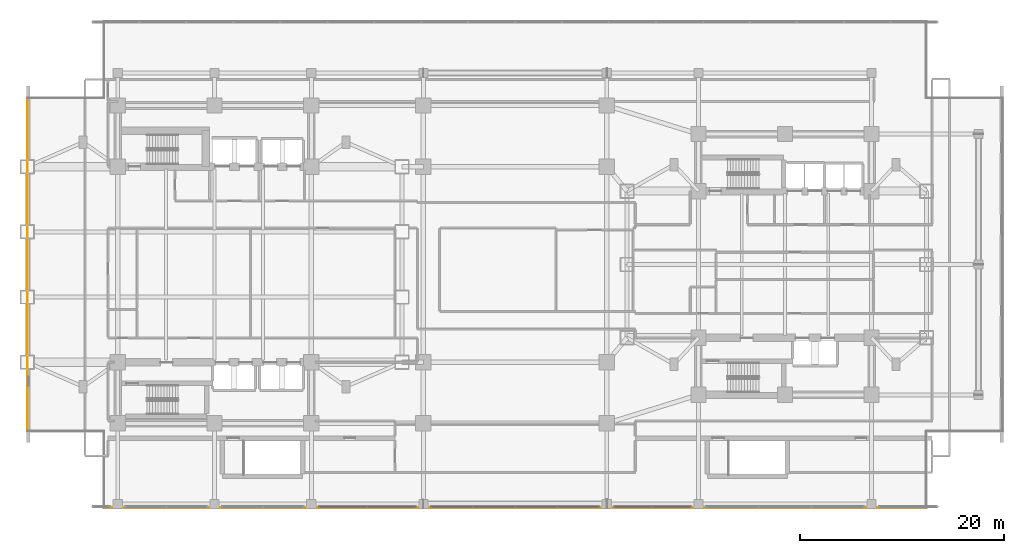
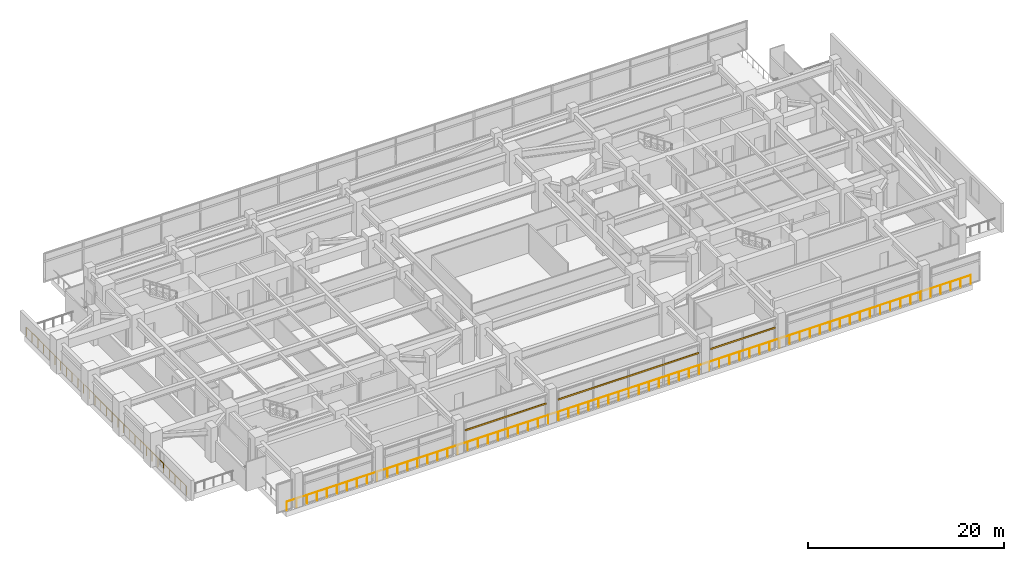
# One storey, part 22 of 27: 3 shading devices, 2 railings.
"""IFC4 building model written with IfcOpenShell, lengths in metres."""

from ifc_helpers import new_model, si_unit, direction, frame, origin, origin_2d, place, context, subcontext, project, spatial, rectangle, circle, extrude, material, material_profile, profile_set, type_object, element, save


model = new_model("IFC4")

# Units and contexts
model_context = context("Model", 3, precision=1e-05, world=origin(), true_north=direction((0.0, 1.0)))
body_context = subcontext(model_context, "Body", "Model", "MODEL_VIEW")
ifc_project = project(units=[si_unit("LENGTHUNIT", "METRE"), si_unit("AREAUNIT", "SQUARE_METRE"), si_unit("VOLUMEUNIT", "CUBIC_METRE"), si_unit("PLANEANGLEUNIT", "RADIAN"), si_unit("MASSUNIT", "GRAM", prefix="KILO")], contexts=[model_context])

# Site, building, storey
site_placement = place(None, origin())
site = spatial("IfcSite", under=ifc_project, at=site_placement, CompositionType="ELEMENT")
building_placement = place(site_placement, origin())
building = spatial("IfcBuilding", under=site, at=building_placement, Name="Mirazonda Arch Towers", CompositionType="ELEMENT")
storey_placement = place(building_placement, frame((0.0, 0.0, 18.10009765625)))
storey = spatial("IfcBuildingStorey", under=building, at=storey_placement, Name="L04", CompositionType="ELEMENT", Elevation=18.10009765625)

# Shading devices
ifc_material_1 = material(Name="Kiln-Fired Architectural Terracotta", Category="masonry")
ifc_material_profile = material_profile(ifc_material_1, rectangle(XDim=0.10009765625, YDim=0.199951171875, at=origin_2d()), Name="TERRA-BAG-100x200")
ifc_profile_set = profile_set([ifc_material_profile], Name="Kiln-Fired Architectural Terracotta")
shading_device_type = type_object("IfcShadingDeviceType", Name="BAGUETTE-2", PredefinedType="USERDEFINED", material=ifc_profile_set)
shading_device_1_placement = place(storey_placement, frame((67.31005859375, 4.219970703125, 2.613525390625), z_axis=(-1.0, 0.0, 0.0), x_axis=(0.0, -1.0, 0.0)))
element("IfcShadingDevice", 1, at=shading_device_1_placement, inside=storey, type_object=shading_device_type, Name="L04 Glazed Terracotta Sun-Screen Baguette CW-L04-S1-S3", ObjectType="BAGUETTE", PredefinedType="USERDEFINED", context=body_context, shape_type="SweptSolid", body=[
    extrude(rectangle(XDim=0.10009765625, YDim=0.199951171875, at=origin_2d()), origin(), (0.0, 0.0, 1.0), 7.6201171875),
])
shading_device_2_placement = place(storey_placement, frame((58.31005859375, 4.219970703125, 2.613525390625), z_axis=(-1.0, 0.0, 0.0), x_axis=(0.0, -1.0, 0.0)))
element("IfcShadingDevice", 2, at=shading_device_2_placement, inside=storey, type_object=shading_device_type, Name="L04 Glazed Terracotta Sun-Screen Baguette CW-L04-S1-S4", ObjectType="BAGUETTE", PredefinedType="USERDEFINED", context=body_context, shape_type="SweptSolid", body=[
    extrude(rectangle(XDim=0.10009765625, YDim=0.199951171875, at=origin_2d()), origin(), (0.0, 0.0, 1.0), 16.6201171875),
])
shading_device_3_placement = place(storey_placement, frame((40.31005859375, 4.219970703125, 2.613525390625), z_axis=(-1.0, 0.0, 0.0), x_axis=(0.0, -1.0, 0.0)))
element("IfcShadingDevice", 3, at=shading_device_3_placement, inside=storey, type_object=shading_device_type, Name="L04 Glazed Terracotta Sun-Screen Baguette CW-L04-S1-S5", ObjectType="BAGUETTE", PredefinedType="USERDEFINED", context=body_context, shape_type="SweptSolid", body=[
    extrude(rectangle(XDim=0.10009765625, YDim=0.199951171875, at=origin_2d()), origin(), (0.0, 0.0, 1.0), 9.6201171875),
])

# Railings
ifc_material_2 = material(Name="Architectural Brushed Steel S355", Category="steel")
railing_type = type_object("IfcRailingType", Name="GUARD-EXT-1150", PredefinedType="GUARDRAIL", material=ifc_material_2)
railing_1_placement = place(storey_placement, frame((9.639892578125, 4.139892578125, 0.0)))
element("IfcRailing", 4, at=railing_1_placement, inside=storey, type_object=railing_type, Name="L04 L04 Bridged Podium Perimeter Guard 01", PredefinedType="GUARDRAIL", context=body_context, shape_type="SweptSolid", body=[
    extrude(circle(Radius=0.02392578125, at=origin_2d()), frame((0.0, 0.0, 1.1259765625), z_axis=(1.0, 0.0, 0.0), x_axis=(0.0, 1.0, 0.0)), (0.0, 0.0, 1.0), 80.72021484375),
    extrude(circle(Radius=0.02099609375, at=origin_2d()), origin(), (0.0, 0.0, 1.0), 1.101806640625),
    extrude(circle(Radius=0.02099609375, at=origin_2d()), frame((1.18701171875, 0.0, 0.0)), (0.0, 0.0, 1.0), 1.101806640625),
    extrude(circle(Radius=0.02099609375, at=origin_2d()), frame((2.3740234375, 0.0, 0.0)), (0.0, 0.0, 1.0), 1.101806640625),
    extrude(circle(Radius=0.02099609375, at=origin_2d()), frame((3.561279296875, 0.0, 0.0)), (0.0, 0.0, 1.0), 1.101806640625),
    extrude(circle(Radius=0.02099609375, at=origin_2d()), frame((4.748291015625, 0.0, 0.0)), (0.0, 0.0, 1.0), 1.101806640625),
    extrude(circle(Radius=0.02099609375, at=origin_2d()), frame((5.935302734375, 0.0, 0.0)), (0.0, 0.0, 1.0), 1.101806640625),
    extrude(circle(Radius=0.02099609375, at=origin_2d()), frame((7.122314453125, 0.0, 0.0)), (0.0, 0.0, 1.0), 1.101806640625),
    extrude(circle(Radius=0.02099609375, at=origin_2d()), frame((8.309326171875, 0.0, 0.0)), (0.0, 0.0, 1.0), 1.101806640625),
    extrude(circle(Radius=0.02099609375, at=origin_2d()), frame((9.49658203125, 0.0, 0.0)), (0.0, 0.0, 1.0), 1.101806640625),
    extrude(circle(Radius=0.02099609375, at=origin_2d()), frame((10.68359375, 0.0, 0.0)), (0.0, 0.0, 1.0), 1.101806640625),
    extrude(circle(Radius=0.02099609375, at=origin_2d()), frame((11.87060546875, 0.0, 0.0)), (0.0, 0.0, 1.0), 1.101806640625),
    extrude(circle(Radius=0.02099609375, at=origin_2d()), frame((13.0576171875, 0.0, 0.0)), (0.0, 0.0, 1.0), 1.101806640625),
    extrude(circle(Radius=0.02099609375, at=origin_2d()), frame((14.24462890625, 0.0, 0.0)), (0.0, 0.0, 1.0), 1.101806640625),
    extrude(circle(Radius=0.02099609375, at=origin_2d()), frame((15.431884765625, 0.0, 0.0)), (0.0, 0.0, 1.0), 1.101806640625),
    extrude(circle(Radius=0.02099609375, at=origin_2d()), frame((16.618896484375, 0.0, 0.0)), (0.0, 0.0, 1.0), 1.101806640625),
    extrude(circle(Radius=0.02099609375, at=origin_2d()), frame((17.805908203125, 0.0, 0.0)), (0.0, 0.0, 1.0), 1.101806640625),
    extrude(circle(Radius=0.02099609375, at=origin_2d()), frame((18.992919921875, 0.0, 0.0)), (0.0, 0.0, 1.0), 1.101806640625),
    extrude(circle(Radius=0.02099609375, at=origin_2d()), frame((20.18017578125, 0.0, 0.0)), (0.0, 0.0, 1.0), 1.101806640625),
    extrude(circle(Radius=0.02099609375, at=origin_2d()), frame((21.3671875, 0.0, 0.0)), (0.0, 0.0, 1.0), 1.101806640625),
    extrude(circle(Radius=0.02099609375, at=origin_2d()), frame((22.55419921875, 0.0, 0.0)), (0.0, 0.0, 1.0), 1.101806640625),
    extrude(circle(Radius=0.02099609375, at=origin_2d()), frame((23.7412109375, 0.0, 0.0)), (0.0, 0.0, 1.0), 1.101806640625),
    extrude(circle(Radius=0.02099609375, at=origin_2d()), frame((24.92822265625, 0.0, 0.0)), (0.0, 0.0, 1.0), 1.101806640625),
    extrude(circle(Radius=0.02099609375, at=origin_2d()), frame((26.115478515625, 0.0, 0.0)), (0.0, 0.0, 1.0), 1.101806640625),
    extrude(circle(Radius=0.02099609375, at=origin_2d()), frame((27.302490234375, 0.0, 0.0)), (0.0, 0.0, 1.0), 1.101806640625),
    extrude(circle(Radius=0.02099609375, at=origin_2d()), frame((28.489501953125, 0.0, 0.0)), (0.0, 0.0, 1.0), 1.101806640625),
    extrude(circle(Radius=0.02099609375, at=origin_2d()), frame((29.676513671875, 0.0, 0.0)), (0.0, 0.0, 1.0), 1.101806640625),
    extrude(circle(Radius=0.02099609375, at=origin_2d()), frame((30.863525390625, 0.0, 0.0)), (0.0, 0.0, 1.0), 1.101806640625),
    extrude(circle(Radius=0.02099609375, at=origin_2d()), frame((32.05078125, 0.0, 0.0)), (0.0, 0.0, 1.0), 1.101806640625),
    extrude(circle(Radius=0.02099609375, at=origin_2d()), frame((33.23779296875, 0.0, 0.0)), (0.0, 0.0, 1.0), 1.101806640625),
    extrude(circle(Radius=0.02099609375, at=origin_2d()), frame((34.4248046875, 0.0, 0.0)), (0.0, 0.0, 1.0), 1.101806640625),
    extrude(circle(Radius=0.02099609375, at=origin_2d()), frame((35.61181640625, 0.0, 0.0)), (0.0, 0.0, 1.0), 1.101806640625),
    extrude(circle(Radius=0.02099609375, at=origin_2d()), frame((36.798828125, 0.0, 0.0)), (0.0, 0.0, 1.0), 1.101806640625),
    extrude(circle(Radius=0.02099609375, at=origin_2d()), frame((37.986083984375, 0.0, 0.0)), (0.0, 0.0, 1.0), 1.101806640625),
    extrude(circle(Radius=0.02099609375, at=origin_2d()), frame((39.173095703125, 0.0, 0.0)), (0.0, 0.0, 1.0), 1.101806640625),
    extrude(circle(Radius=0.02099609375, at=origin_2d()), frame((40.360107421875, 0.0, 0.0)), (0.0, 0.0, 1.0), 1.101806640625),
    extrude(circle(Radius=0.02099609375, at=origin_2d()), frame((41.547119140625, 0.0, 0.0)), (0.0, 0.0, 1.0), 1.101806640625),
    extrude(circle(Radius=0.02099609375, at=origin_2d()), frame((42.734130859375, 0.0, 0.0)), (0.0, 0.0, 1.0), 1.101806640625),
    extrude(circle(Radius=0.02099609375, at=origin_2d()), frame((43.92138671875, 0.0, 0.0)), (0.0, 0.0, 1.0), 1.101806640625),
    extrude(circle(Radius=0.02099609375, at=origin_2d()), frame((45.1083984375, 0.0, 0.0)), (0.0, 0.0, 1.0), 1.101806640625),
    extrude(circle(Radius=0.02099609375, at=origin_2d()), frame((46.29541015625, 0.0, 0.0)), (0.0, 0.0, 1.0), 1.101806640625),
    extrude(circle(Radius=0.02099609375, at=origin_2d()), frame((47.482421875, 0.0, 0.0)), (0.0, 0.0, 1.0), 1.101806640625),
    extrude(circle(Radius=0.02099609375, at=origin_2d()), frame((48.66943359375, 0.0, 0.0)), (0.0, 0.0, 1.0), 1.101806640625),
    extrude(circle(Radius=0.02099609375, at=origin_2d()), frame((49.856689453125, 0.0, 0.0)), (0.0, 0.0, 1.0), 1.101806640625),
    extrude(circle(Radius=0.02099609375, at=origin_2d()), frame((51.043701171875, 0.0, 0.0)), (0.0, 0.0, 1.0), 1.101806640625),
    extrude(circle(Radius=0.02099609375, at=origin_2d()), frame((52.230712890625, 0.0, 0.0)), (0.0, 0.0, 1.0), 1.101806640625),
    extrude(circle(Radius=0.02099609375, at=origin_2d()), frame((53.417724609375, 0.0, 0.0)), (0.0, 0.0, 1.0), 1.101806640625),
    extrude(circle(Radius=0.02099609375, at=origin_2d()), frame((54.604736328125, 0.0, 0.0)), (0.0, 0.0, 1.0), 1.101806640625),
    extrude(circle(Radius=0.02099609375, at=origin_2d()), frame((55.7919921875, 0.0, 0.0)), (0.0, 0.0, 1.0), 1.101806640625),
    extrude(circle(Radius=0.02099609375, at=origin_2d()), frame((56.97900390625, 0.0, 0.0)), (0.0, 0.0, 1.0), 1.101806640625),
    extrude(circle(Radius=0.02099609375, at=origin_2d()), frame((58.166015625, 0.0, 0.0)), (0.0, 0.0, 1.0), 1.101806640625),
    extrude(circle(Radius=0.02099609375, at=origin_2d()), frame((59.35302734375, 0.0, 0.0)), (0.0, 0.0, 1.0), 1.101806640625),
    extrude(circle(Radius=0.02099609375, at=origin_2d()), frame((60.5400390625, 0.0, 0.0)), (0.0, 0.0, 1.0), 1.101806640625),
    extrude(circle(Radius=0.02099609375, at=origin_2d()), frame((61.727294921875, 0.0, 0.0)), (0.0, 0.0, 1.0), 1.101806640625),
    extrude(circle(Radius=0.02099609375, at=origin_2d()), frame((62.914306640625, 0.0, 0.0)), (0.0, 0.0, 1.0), 1.101806640625),
    extrude(circle(Radius=0.02099609375, at=origin_2d()), frame((64.101318359375, 0.0, 0.0)), (0.0, 0.0, 1.0), 1.101806640625),
    extrude(circle(Radius=0.02099609375, at=origin_2d()), frame((65.288330078125, 0.0, 0.0)), (0.0, 0.0, 1.0), 1.101806640625),
    extrude(circle(Radius=0.02099609375, at=origin_2d()), frame((66.4755859375, 0.0, 0.0)), (0.0, 0.0, 1.0), 1.101806640625),
    extrude(circle(Radius=0.02099609375, at=origin_2d()), frame((67.66259765625, 0.0, 0.0)), (0.0, 0.0, 1.0), 1.101806640625),
    extrude(circle(Radius=0.02099609375, at=origin_2d()), frame((68.849609375, 0.0, 0.0)), (0.0, 0.0, 1.0), 1.101806640625),
    extrude(circle(Radius=0.02099609375, at=origin_2d()), frame((70.03662109375, 0.0, 0.0)), (0.0, 0.0, 1.0), 1.101806640625),
    extrude(circle(Radius=0.02099609375, at=origin_2d()), frame((71.2236328125, 0.0, 0.0)), (0.0, 0.0, 1.0), 1.101806640625),
    extrude(circle(Radius=0.02099609375, at=origin_2d()), frame((72.410888671875, 0.0, 0.0)), (0.0, 0.0, 1.0), 1.101806640625),
    extrude(circle(Radius=0.02099609375, at=origin_2d()), frame((73.597900390625, 0.0, 0.0)), (0.0, 0.0, 1.0), 1.101806640625),
    extrude(circle(Radius=0.02099609375, at=origin_2d()), frame((74.784912109375, 0.0, 0.0)), (0.0, 0.0, 1.0), 1.101806640625),
    extrude(circle(Radius=0.02099609375, at=origin_2d()), frame((75.971923828125, 0.0, 0.0)), (0.0, 0.0, 1.0), 1.101806640625),
    extrude(circle(Radius=0.02099609375, at=origin_2d()), frame((77.158935546875, 0.0, 0.0)), (0.0, 0.0, 1.0), 1.101806640625),
    extrude(circle(Radius=0.02099609375, at=origin_2d()), frame((78.34619140625, 0.0, 0.0)), (0.0, 0.0, 1.0), 1.101806640625),
    extrude(circle(Radius=0.02099609375, at=origin_2d()), frame((79.533203125, 0.0, 0.0)), (0.0, 0.0, 1.0), 1.101806640625),
    extrude(circle(Radius=0.02099609375, at=origin_2d()), frame((80.72021484375, 0.0, 0.0)), (0.0, 0.0, 1.0), 1.101806640625),
])
railing_2_placement = place(storey_placement, frame((2.139892578125, 44.360107421875, 0.0)))
element("IfcRailing", 5, at=railing_2_placement, inside=storey, type_object=railing_type, Name="L04 L04 Bridged Podium Perimeter Guard 10", PredefinedType="GUARDRAIL", context=body_context, shape_type="SweptSolid", body=[
    extrude(circle(Radius=0.02392578125, at=origin_2d()), frame((0.0, 0.0, 1.1259765625), z_axis=(0.0, -1.0, 0.0), x_axis=(1.0, 0.0, 0.0)), (0.0, 0.0, 1.0), 32.72021484375),
    extrude(circle(Radius=0.02099609375, at=origin_2d()), origin(), (0.0, 0.0, 1.0), 1.101806640625),
    extrude(circle(Radius=0.02099609375, at=origin_2d()), frame((0.0, -1.16845703125, 0.0)), (0.0, 0.0, 1.0), 1.101806640625),
    extrude(circle(Radius=0.02099609375, at=origin_2d()), frame((0.0, -2.337158203125, 0.0)), (0.0, 0.0, 1.0), 1.101806640625),
    extrude(circle(Radius=0.02099609375, at=origin_2d()), frame((0.0, -3.505859375, 0.0)), (0.0, 0.0, 1.0), 1.101806640625),
    extrude(circle(Radius=0.02099609375, at=origin_2d()), frame((0.0, -4.67431640625, 0.0)), (0.0, 0.0, 1.0), 1.101806640625),
    extrude(circle(Radius=0.02099609375, at=origin_2d()), frame((0.0, -5.8427734375, 0.0)), (0.0, 0.0, 1.0), 1.101806640625),
    extrude(circle(Radius=0.02099609375, at=origin_2d()), frame((0.0, -7.011474609375, 0.0)), (0.0, 0.0, 1.0), 1.101806640625),
    extrude(circle(Radius=0.02099609375, at=origin_2d()), frame((0.0, -8.18017578125, 0.0)), (0.0, 0.0, 1.0), 1.101806640625),
    extrude(circle(Radius=0.02099609375, at=origin_2d()), frame((0.0, -9.3486328125, 0.0)), (0.0, 0.0, 1.0), 1.101806640625),
    extrude(circle(Radius=0.02099609375, at=origin_2d()), frame((0.0, -10.51708984375, 0.0)), (0.0, 0.0, 1.0), 1.101806640625),
    extrude(circle(Radius=0.02099609375, at=origin_2d()), frame((0.0, -11.685791015625, 0.0)), (0.0, 0.0, 1.0), 1.101806640625),
    extrude(circle(Radius=0.02099609375, at=origin_2d()), frame((0.0, -12.8544921875, 0.0)), (0.0, 0.0, 1.0), 1.101806640625),
    extrude(circle(Radius=0.02099609375, at=origin_2d()), frame((0.0, -14.02294921875, 0.0)), (0.0, 0.0, 1.0), 1.101806640625),
    extrude(circle(Radius=0.02099609375, at=origin_2d()), frame((0.0, -15.19140625, 0.0)), (0.0, 0.0, 1.0), 1.101806640625),
    extrude(circle(Radius=0.02099609375, at=origin_2d()), frame((0.0, -16.360107421875, 0.0)), (0.0, 0.0, 1.0), 1.101806640625),
    extrude(circle(Radius=0.02099609375, at=origin_2d()), frame((0.0, -17.52880859375, 0.0)), (0.0, 0.0, 1.0), 1.101806640625),
    extrude(circle(Radius=0.02099609375, at=origin_2d()), frame((0.0, -18.697265625, 0.0)), (0.0, 0.0, 1.0), 1.101806640625),
    extrude(circle(Radius=0.02099609375, at=origin_2d()), frame((0.0, -19.86572265625, 0.0)), (0.0, 0.0, 1.0), 1.101806640625),
    extrude(circle(Radius=0.02099609375, at=origin_2d()), frame((0.0, -21.034423828125, 0.0)), (0.0, 0.0, 1.0), 1.101806640625),
    extrude(circle(Radius=0.02099609375, at=origin_2d()), frame((0.0, -22.203125, 0.0)), (0.0, 0.0, 1.0), 1.101806640625),
    extrude(circle(Radius=0.02099609375, at=origin_2d()), frame((0.0, -23.37158203125, 0.0)), (0.0, 0.0, 1.0), 1.101806640625),
    extrude(circle(Radius=0.02099609375, at=origin_2d()), frame((0.0, -24.5400390625, 0.0)), (0.0, 0.0, 1.0), 1.101806640625),
    extrude(circle(Radius=0.02099609375, at=origin_2d()), frame((0.0, -25.708740234375, 0.0)), (0.0, 0.0, 1.0), 1.101806640625),
    extrude(circle(Radius=0.02099609375, at=origin_2d()), frame((0.0, -26.87744140625, 0.0)), (0.0, 0.0, 1.0), 1.101806640625),
    extrude(circle(Radius=0.02099609375, at=origin_2d()), frame((0.0, -28.0458984375, 0.0)), (0.0, 0.0, 1.0), 1.101806640625),
    extrude(circle(Radius=0.02099609375, at=origin_2d()), frame((0.0, -29.21435546875, 0.0)), (0.0, 0.0, 1.0), 1.101806640625),
    extrude(circle(Radius=0.02099609375, at=origin_2d()), frame((0.0, -30.383056640625, 0.0)), (0.0, 0.0, 1.0), 1.101806640625),
    extrude(circle(Radius=0.02099609375, at=origin_2d()), frame((0.0, -31.5517578125, 0.0)), (0.0, 0.0, 1.0), 1.101806640625),
    extrude(circle(Radius=0.02099609375, at=origin_2d()), frame((0.0, -32.72021484375, 0.0)), (0.0, 0.0, 1.0), 1.101806640625),
])

save(model, "model.ifc")
